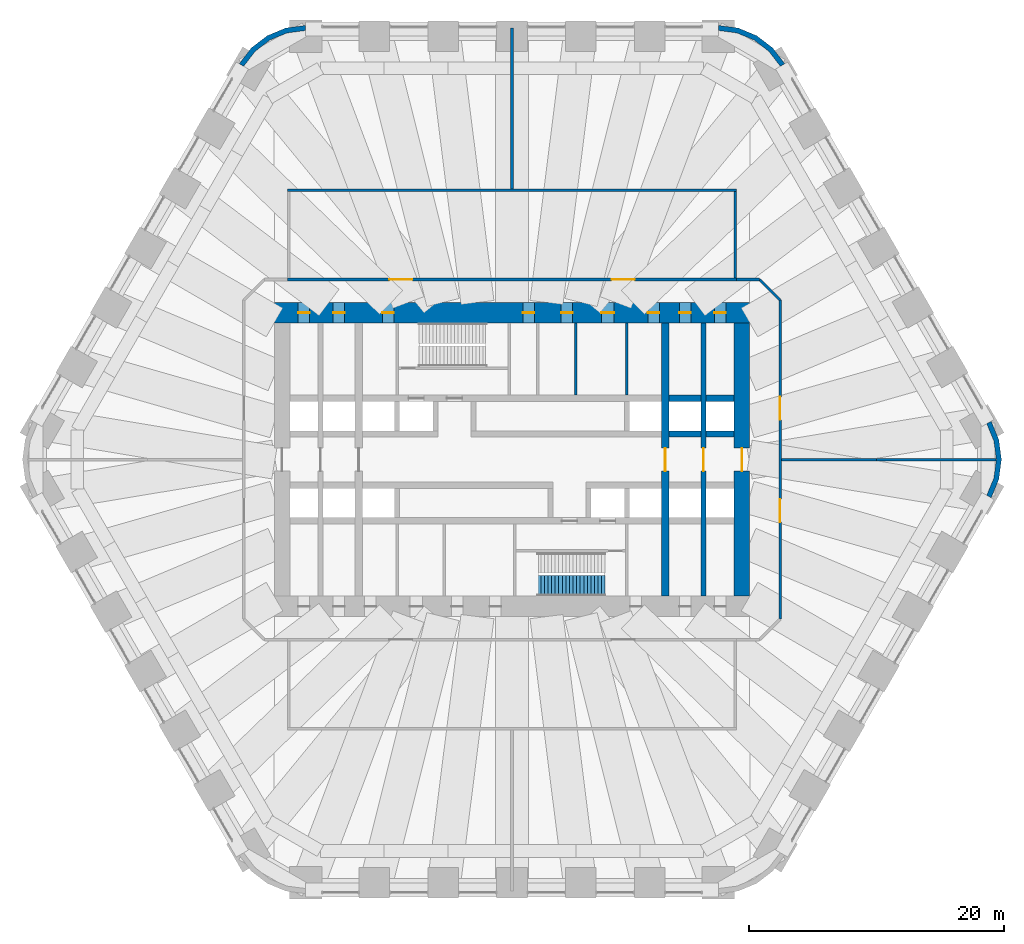
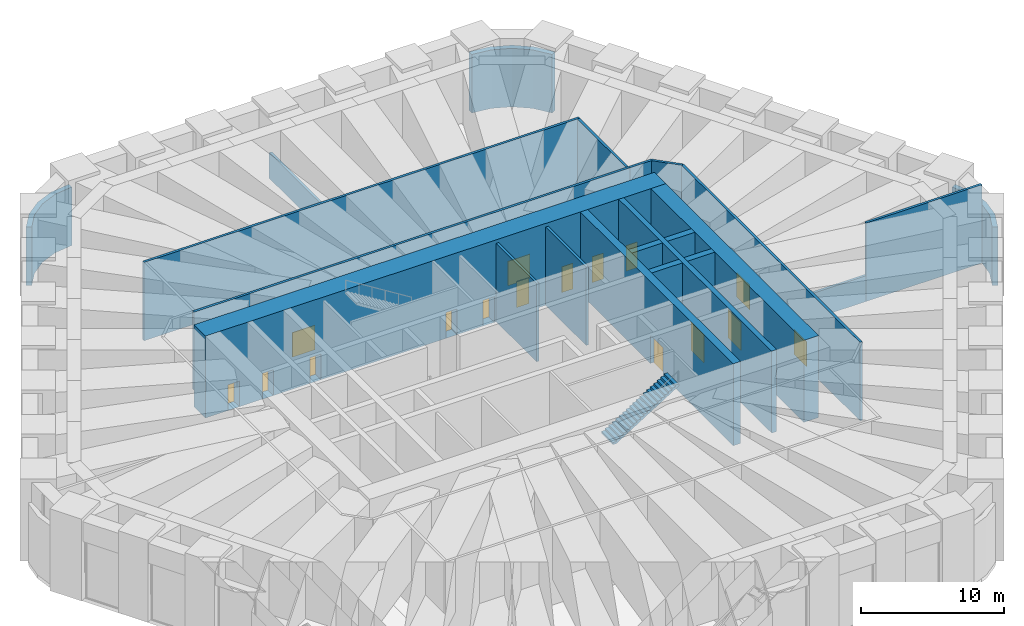
# One storey, part 15 of 17: 22 walls, 16 doors, 1 stair flight, 16 openings, 1 element without a shape of its own.
"""IFC4 building model written with IfcOpenShell, lengths in metres."""

from ifc_helpers import new_model, si_unit, direction, frame, frame_2d, origin, place, context, subcontext, project, spatial, polyline, rectangle, outline, extrude, material, layer, layer_set, type_object, element, fill, aggregate, save


model = new_model("IFC4")

# Units and contexts
model_context = context("Model", 3, precision=1e-05, world=origin(), true_north=direction((0.0, 1.0)))
body_context = subcontext(model_context, "Body", "Model", "MODEL_VIEW")
ifc_project = project(units=[si_unit("LENGTHUNIT", "METRE"), si_unit("AREAUNIT", "SQUARE_METRE"), si_unit("VOLUMEUNIT", "CUBIC_METRE"), si_unit("PLANEANGLEUNIT", "RADIAN"), si_unit("MASSUNIT", "GRAM", prefix="KILO")], contexts=[model_context])

# Site, building, storey
site_placement = place(None, origin())
site = spatial("IfcSite", under=ifc_project, at=site_placement, CompositionType="ELEMENT")
building_placement = place(site_placement, origin())
building = spatial("IfcBuilding", under=site, at=building_placement, Name="Tarfa Lantern Tower", CompositionType="ELEMENT")
storey_placement = place(building_placement, frame((0.0, 0.0, 107.5)))
storey = spatial("IfcBuildingStorey", under=building, at=storey_placement, Name="L24", CompositionType="ELEMENT", Elevation=107.5)

# Walls
ifc_material_1 = material(Name="Limestone cladding on blockwork", Category="masonry")
ifc_layer_1 = layer(ifc_material_1, 0.39990234375)
ifc_layer_set_1 = layer_set([ifc_layer_1], Name="EW2 CURVED STONE CORNER 400")
wall_type_1 = type_object("IfcWallType", Name="EW2 CURVED STONE CORNER 400", PredefinedType="SOLIDWALL", material=ifc_layer_set_1)
wall_1_placement = place(storey_placement, origin())
element("IfcWall", 1, at=wall_1_placement, inside=storey, type_object=wall_type_1, Name="Stone corner NE-N", PredefinedType="SOLIDWALL", context=body_context, shape_type="SweptSolid", body=[
    extrude(outline(polyline([(21.362060546875, 31.0), (20.408447265625, 32.24267578125), (19.165771484375, 33.196044921875), (17.71875, 33.795654296875), (16.165771484375, 34.0), (16.165771484375, 33.60009765625), (17.615234375, 33.4091796875), (18.9658203125, 32.849853515625), (20.12548828125, 31.959716796875), (21.015625, 30.800048828125), (21.362060546875, 31.0)])), origin(), (0.0, 0.0, 1.0), 5.0),
])
wall_2_placement = place(storey_placement, origin())
element("IfcWall", 2, at=wall_2_placement, inside=storey, type_object=wall_type_1, Name="Stone corner N-NW", PredefinedType="SOLIDWALL", context=body_context, shape_type="SweptSolid", body=[
    extrude(outline(polyline([(-16.165771484375, 34.0), (-17.71875, 33.795654296875), (-19.165771484375, 33.196044921875), (-20.408447265625, 32.24267578125), (-21.362060546875, 31.0), (-21.015625, 30.800048828125), (-20.12548828125, 31.959716796875), (-18.9658203125, 32.849853515625), (-17.615234375, 33.4091796875), (-16.165771484375, 33.60009765625), (-16.165771484375, 34.0)])), origin(), (0.0, 0.0, 1.0), 5.0),
])
wall_3_placement = place(storey_placement, origin())
element("IfcWall", 3, at=wall_3_placement, inside=storey, type_object=wall_type_1, Name="Stone corner SE-NE", PredefinedType="SOLIDWALL", context=body_context, shape_type="SweptSolid", body=[
    extrude(outline(polyline([(37.52783203125, -3.0), (38.127197265625, -1.552978515625), (38.33154296875, 0.0), (38.127197265625, 1.552978515625), (37.52783203125, 3.0), (37.181396484375, 2.800048828125), (37.74072265625, 1.449462890625), (37.931640625, 0.0), (37.74072265625, -1.449462890625), (37.181396484375, -2.800048828125), (37.52783203125, -3.0)])), origin(), (0.0, 0.0, 1.0), 5.0),
])
ifc_material_2 = material(Name="Concrete blockwork", Category="masonry")
ifc_layer_2 = layer(ifc_material_2, 0.199951171875)
ifc_layer_set_2 = layer_set([ifc_layer_2], Name="IW1 BLOCKWORK PARTITION 200 EI 120")
wall_type_2 = type_object("IfcWallType", Name="IW1 BLOCKWORK PARTITION 200 EI 120", PredefinedType="PARTITIONING", material=ifc_layer_set_2)
for number, where, z_axis, x_axis, name in (
    (4, (9.0, 5.050048828125, 0.0), (0.0, 0.0, 1.0), (0.0, 1.0, 0.0), "Core partition"),
    (5, (5.0, 5.050048828125, 0.0), (0.0, 0.0, 1.0), (0.0, 1.0, 0.0), "Core partition"),
):
    element("IfcWall", number, at=place(storey_placement, frame(where, z_axis=z_axis, x_axis=x_axis)), inside=storey, type_object=wall_type_2, Name=name, PredefinedType="PARTITIONING", context=body_context, shape_type="SweptSolid", body=[
        extrude(rectangle(XDim=5.64990234375, YDim=0.199951171875, at=frame_2d((2.824951171875, 0.0))), origin(), (0.0, 0.0, 1.0), 6.699951171875),
    ])
wall_4_placement = place(storey_placement, frame((17.60009765625, 14.10009765625, 0.0), z_axis=(0.0, 0.0, 1.0), x_axis=(1.0, 0.0, 0.0)))
element("IfcWall", 6, at=wall_4_placement, inside=storey, type_object=wall_type_2, Name="Fire-rated partition", PredefinedType="PARTITIONING", context=body_context, shape_type="SweptSolid", body=[
    extrude(rectangle(XDim=1.7998046875, YDim=0.199951171875, at=frame_2d((0.89990234375, 0.0))), origin(), (0.0, 0.0, 1.0), 6.699951171875),
])
wall_5_placement = place(storey_placement, frame((19.39990234375, 14.10009765625, 0.0), z_axis=(0.0, 0.0, 1.0), x_axis=(0.707106781187, -0.707106781187, 0.0)))
element("IfcWall", 7, at=wall_5_placement, inside=storey, type_object=wall_type_2, Name="Fire-rated partition", PredefinedType="PARTITIONING", context=body_context, shape_type="SweptSolid", body=[
    extrude(rectangle(XDim=2.262939453125, YDim=0.199951171875, at=frame_2d((1.13134765625, 0.0))), origin(), (0.0, 0.0, 1.0), 6.699951171875),
])

# Wall, openings, doors
wall_6_placement = place(storey_placement, frame((21.0, 12.5, 0.0), z_axis=(0.0, 0.0, 1.0), x_axis=(0.0, -1.0, 0.0)))
wall_6 = element("IfcWall", 8, at=wall_6_placement, inside=storey, type_object=wall_type_2, Name="Fire-rated partition", PredefinedType="PARTITIONING", context=body_context, shape_type="SweptSolid", body=[
    extrude(rectangle(XDim=25.0, YDim=0.199951171875, at=frame_2d((12.5, 0.0))), origin(), (0.0, 0.0, 1.0), 6.699951171875),
])
opening_1_placement = place(wall_6_placement, frame((7.60009765625, 0.0, 0.0)))
opening_1 = element("IfcOpeningElement", 9, at=opening_1_placement, cuts=wall_6, Name="Opening D29", PredefinedType="OPENING", context=body_context, shape_type="SweptSolid", body=[
    extrude(rectangle(XDim=1.800048828125, YDim=2.10009765625, at=frame_2d((0.89990234375, 1.050048828125))), frame((0.0, 0.10986328125, 0.0), z_axis=(0.0, -1.0, 0.0), x_axis=(1.0, 0.0, 0.0)), (0.0, 0.0, 1.0), 0.219970703125),
])
opening_2_placement = place(wall_6_placement, frame((15.60009765625, 0.0, 0.0)))
opening_2 = element("IfcOpeningElement", 10, at=opening_2_placement, cuts=wall_6, Name="Opening D31", PredefinedType="OPENING", context=body_context, shape_type="SweptSolid", body=[
    extrude(rectangle(XDim=1.800048828125, YDim=2.10009765625, at=frame_2d((0.89990234375, 1.050048828125))), frame((0.0, 0.10986328125, 0.0), z_axis=(0.0, -1.0, 0.0), x_axis=(1.0, 0.0, 0.0)), (0.0, 0.0, 1.0), 0.219970703125),
])
ifc_material_3 = material(Name="Steel fire door", Category="steel")
door_type_1 = type_object("IfcDoorType", Name="DF10 FIRE DOOR 1800x2100", OperationType="DOUBLE_DOOR_SINGLE_SWING", PredefinedType="DOOR", material=ifc_material_3)
door_1_placement = place(opening_1_placement, origin())
door_1 = element("IfcDoor", 11, at=door_1_placement, inside=storey, type_object=door_type_1, Name="Air handling plant room door", OperationType="DOUBLE_DOOR_SINGLE_SWING", OverallHeight=2.10009765625, OverallWidth=1.800048828125, PredefinedType="DOOR", context=body_context, shape_type="SweptSolid", body=[
    extrude(rectangle(XDim=1.800048828125, YDim=2.10009765625, at=frame_2d((0.89990234375, 1.050048828125))), frame((0.0, 0.02490234375, 0.0), z_axis=(0.0, -1.0, 0.0), x_axis=(1.0, 0.0, 0.0)), (0.0, 0.0, 1.0), 0.050048828125),
])
fill(opening_1, door_1)
door_2_placement = place(opening_2_placement, origin())
door_2 = element("IfcDoor", 12, at=door_2_placement, inside=storey, type_object=door_type_1, Name="Fire pump plant room door", OperationType="DOUBLE_DOOR_SINGLE_SWING", OverallHeight=2.10009765625, OverallWidth=1.800048828125, PredefinedType="DOOR", context=body_context, shape_type="SweptSolid", body=[
    extrude(rectangle(XDim=1.800048828125, YDim=2.10009765625, at=frame_2d((0.89990234375, 1.050048828125))), frame((0.0, 0.02490234375, 0.0), z_axis=(0.0, -1.0, 0.0), x_axis=(1.0, 0.0, 0.0)), (0.0, 0.0, 1.0), 0.050048828125),
])
fill(opening_2, door_2)

# Walls
wall_7_placement = place(storey_placement, frame((0.0, 21.199951171875, 0.0), z_axis=(0.0, 0.0, 1.0), x_axis=(0.0, 1.0, 0.0)))
element("IfcWall", 13, at=wall_7_placement, inside=storey, type_object=wall_type_2, Name="Fire-rated partition", PredefinedType="PARTITIONING", context=body_context, shape_type="SweptSolid", body=[
    extrude(rectangle(XDim=12.610107421875, YDim=0.199951171875, at=frame_2d((6.30517578125, 0.0))), origin(), (0.0, 0.0, 1.0), 2.199951171875),
])
wall_8_placement = place(storey_placement, frame((21.10009765625, 0.0, 0.0), z_axis=(0.0, 0.0, 1.0), x_axis=(1.0, 0.0, 0.0)))
element("IfcWall", 14, at=wall_8_placement, inside=storey, type_object=wall_type_2, Name="Fire-rated partition", PredefinedType="PARTITIONING", context=body_context, shape_type="SweptSolid", body=[
    extrude(rectangle(XDim=7.4609375, YDim=0.199951171875, at=frame_2d((3.73046875, 0.0))), origin(), (0.0, 0.0, 1.0), 2.199951171875),
])
wall_9_placement = place(storey_placement, frame((28.56103515625, 0.0, 0.0), z_axis=(0.0, 0.0, 1.0), x_axis=(1.0, 0.0, 0.0)))
element("IfcWall", 15, at=wall_9_placement, inside=storey, type_object=wall_type_2, Name="Fire-rated partition", PredefinedType="PARTITIONING", context=body_context, shape_type="SweptSolid", body=[
    extrude(rectangle(XDim=9.357421875, YDim=0.199951171875, at=frame_2d((4.6787109375, 0.0))), origin(), (0.0, 0.0, 1.0), 6.699951171875),
])

# Wall, openings, doors
ifc_material_4 = material(Name="Gypsum board on steel studs", Category="steel")
ifc_layer_3 = layer(ifc_material_4, 0.2099609375)
ifc_layer_set_3 = layer_set([ifc_layer_3], Name="IW2 ACOUSTIC PARTITION 200")
wall_type_3 = type_object("IfcWallType", Name="IW2 ACOUSTIC PARTITION 200", PredefinedType="PARTITIONING", material=ifc_layer_set_3)
wall_10_placement = place(storey_placement, frame((-17.60009765625, 14.10009765625, 0.0), z_axis=(0.0, 0.0, 1.0), x_axis=(1.0, 0.0, 0.0)))
wall_10 = element("IfcWall", 16, at=wall_10_placement, inside=storey, type_object=wall_type_3, Name="Partition", PredefinedType="PARTITIONING", context=body_context, shape_type="SweptSolid", body=[
    extrude(rectangle(XDim=35.2001953125, YDim=0.199951171875, at=frame_2d((17.60009765625, 0.0))), origin(), (0.0, 0.0, 1.0), 6.699951171875),
])
opening_3_placement = place(wall_10_placement, frame((8.0, 0.0, 0.0)))
opening_3 = element("IfcOpeningElement", 17, at=opening_3_placement, cuts=wall_10, Name="Opening D33", PredefinedType="OPENING", context=body_context, shape_type="SweptSolid", body=[
    extrude(rectangle(XDim=1.800048828125, YDim=2.10009765625, at=frame_2d((0.89990234375, 1.050048828125))), frame((0.0, 0.10986328125, 0.0), z_axis=(0.0, -1.0, 0.0), x_axis=(1.0, 0.0, 0.0)), (0.0, 0.0, 1.0), 0.219970703125),
])
opening_4_placement = place(wall_10_placement, frame((25.39990234375, 0.0, 0.0)))
opening_4 = element("IfcOpeningElement", 18, at=opening_4_placement, cuts=wall_10, Name="Opening D34", PredefinedType="OPENING", context=body_context, shape_type="SweptSolid", body=[
    extrude(rectangle(XDim=1.800048828125, YDim=2.10009765625, at=frame_2d((0.89990234375, 1.050048828125))), frame((0.0, 0.10986328125, 0.0), z_axis=(0.0, -1.0, 0.0), x_axis=(1.0, 0.0, 0.0)), (0.0, 0.0, 1.0), 0.219970703125),
])
ifc_material_5 = material(Name="Timber door", Category="wood")
door_type_2 = type_object("IfcDoorType", Name="DR4 ROOM DOOR 1800x2100", OperationType="DOUBLE_DOOR_SINGLE_SWING", PredefinedType="DOOR", material=ifc_material_5)
door_3_placement = place(opening_3_placement, origin())
door_3 = element("IfcDoor", 19, at=door_3_placement, inside=storey, type_object=door_type_2, Name="Refuge area door", OperationType="DOUBLE_DOOR_SINGLE_SWING", OverallHeight=2.10009765625, OverallWidth=1.800048828125, PredefinedType="DOOR", context=body_context, shape_type="SweptSolid", body=[
    extrude(rectangle(XDim=1.800048828125, YDim=2.10009765625, at=frame_2d((0.89990234375, 1.050048828125))), frame((0.0, 0.02490234375, 0.0), z_axis=(0.0, -1.0, 0.0), x_axis=(1.0, 0.0, 0.0)), (0.0, 0.0, 1.0), 0.050048828125),
])
fill(opening_3, door_3)
door_4_placement = place(opening_4_placement, origin())
door_4 = element("IfcDoor", 20, at=door_4_placement, inside=storey, type_object=door_type_2, Name="Refuge area door", OperationType="DOUBLE_DOOR_SINGLE_SWING", OverallHeight=2.10009765625, OverallWidth=1.800048828125, PredefinedType="DOOR", context=body_context, shape_type="SweptSolid", body=[
    extrude(rectangle(XDim=1.800048828125, YDim=2.10009765625, at=frame_2d((0.89990234375, 1.050048828125))), frame((0.0, 0.02490234375, 0.0), z_axis=(0.0, -1.0, 0.0), x_axis=(1.0, 0.0, 0.0)), (0.0, 0.0, 1.0), 0.050048828125),
])
fill(opening_4, door_4)

# Walls
wall_11_placement = place(storey_placement, frame((17.5, 14.199951171875, 0.0), z_axis=(0.0, 0.0, 1.0), x_axis=(0.0, 1.0, 0.0)))
element("IfcWall", 21, at=wall_11_placement, inside=storey, type_object=wall_type_3, Name="Partition", PredefinedType="PARTITIONING", context=body_context, shape_type="SweptSolid", body=[
    extrude(rectangle(XDim=6.800048828125, YDim=0.199951171875, at=frame_2d((3.39990234375, 0.0))), origin(), (0.0, 0.0, 1.0), 6.699951171875),
])
wall_12_placement = place(storey_placement, frame((-17.60009765625, 21.10009765625, 0.0), z_axis=(0.0, 0.0, 1.0), x_axis=(1.0, 0.0, 0.0)))
element("IfcWall", 22, at=wall_12_placement, inside=storey, type_object=wall_type_3, Name="Partition", PredefinedType="PARTITIONING", context=body_context, shape_type="SweptSolid", body=[
    extrude(rectangle(XDim=35.2001953125, YDim=0.199951171875, at=frame_2d((17.60009765625, 0.0))), origin(), (0.0, 0.0, 1.0), 6.699951171875),
])

# Wall, opening, door
ifc_material_6 = material(Name="Concrete C80/95", Category="concrete")
ifc_layer_4 = layer(ifc_material_6, 1.199951171875)
ifc_layer_set_4 = layer_set([ifc_layer_4], Name="SW1 CORE WALL 1200")
wall_type_4 = type_object("IfcWallType", Name="SW1 CORE WALL 1200", PredefinedType="SHEAR", material=ifc_layer_set_4)
wall_13_placement = place(storey_placement, frame((18.0, -10.699951171875, 0.0), z_axis=(0.0, 0.0, 1.0), x_axis=(0.0, 1.0, 0.0)))
wall_13 = element("IfcWall", 23, at=wall_13_placement, inside=storey, type_object=wall_type_4, Name="Core wall E", PredefinedType="SHEAR", context=body_context, shape_type="SweptSolid", body=[
    extrude(rectangle(XDim=21.39990234375, YDim=1.199951171875, at=frame_2d((10.699951171875, 0.0))), origin(), (0.0, 0.0, 1.0), 7.0),
])
opening_5_placement = place(wall_13_placement, frame((9.800048828125, 0.0, 0.0)))
opening_5 = element("IfcOpeningElement", 24, at=opening_5_placement, cuts=wall_13, Name="Opening D15", PredefinedType="OPENING", context=body_context, shape_type="SweptSolid", body=[
    extrude(rectangle(XDim=1.800048828125, YDim=2.39990234375, at=frame_2d((0.89990234375, 1.199951171875))), frame((0.0, 0.60986328125, 0.0), z_axis=(0.0, -1.0, 0.0), x_axis=(1.0, 0.0, 0.0)), (0.0, 0.0, 1.0), 1.219970703125),
])
door_type_3 = type_object("IfcDoorType", Name="DL1 LOBBY DOOR 1800x2400", OperationType="DOUBLE_DOOR_SINGLE_SWING", PredefinedType="DOOR", material=ifc_material_3)
door_5_placement = place(opening_5_placement, frame((1.800048828125, 0.0, 0.0), z_axis=(0.0, 0.0, 1.0), x_axis=(-1.0, 0.0, 0.0)))
door_5 = element("IfcDoor", 25, at=door_5_placement, inside=storey, type_object=door_type_3, Name="Lift lobby door", OperationType="DOUBLE_DOOR_SINGLE_SWING", OverallHeight=2.39990234375, OverallWidth=1.800048828125, PredefinedType="DOOR", context=body_context, shape_type="SweptSolid", body=[
    extrude(rectangle(XDim=1.800048828125, YDim=2.39990234375, at=frame_2d((0.89990234375, 1.199951171875))), frame((0.0, 0.02490234375, 0.0), z_axis=(0.0, -1.0, 0.0), x_axis=(1.0, 0.0, 0.0)), (0.0, 0.0, 1.0), 0.050048828125),
])
fill(opening_5, door_5)

# Walls
ifc_layer_5 = layer(ifc_material_6, 0.5)
ifc_layer_set_5 = layer_set([ifc_layer_5], Name="SW5 CORE WALL 500")
wall_type_5 = type_object("IfcWallType", Name="SW5 CORE WALL 500", PredefinedType="SHEAR", material=ifc_layer_set_5)
wall_14_placement = place(storey_placement, frame((12.300048828125, 2.0, 0.0), z_axis=(0.0, 0.0, 1.0), x_axis=(1.0, 0.0, 0.0)))
element("IfcWall", 26, at=wall_14_placement, inside=storey, type_object=wall_type_5, Name="Core wall lobby east N", PredefinedType="SHEAR", context=body_context, shape_type="SweptSolid", body=[
    extrude(rectangle(XDim=2.5, YDim=0.5, at=frame_2d((1.25, 0.0))), origin(), (0.0, 0.0, 1.0), 7.0),
])
wall_15_placement = place(storey_placement, frame((15.199951171875, 2.0, 0.0), z_axis=(0.0, 0.0, 1.0), x_axis=(1.0, 0.0, 0.0)))
element("IfcWall", 27, at=wall_15_placement, inside=storey, type_object=wall_type_5, Name="Core wall lobby east N", PredefinedType="SHEAR", context=body_context, shape_type="SweptSolid", body=[
    extrude(rectangle(XDim=2.199951171875, YDim=0.5, at=frame_2d((1.10009765625, 0.0))), origin(), (0.0, 0.0, 1.0), 7.0),
])
wall_16_placement = place(storey_placement, frame((12.300048828125, 4.800048828125, 0.0), z_axis=(0.0, 0.0, 1.0), x_axis=(1.0, 0.0, 0.0)))
element("IfcWall", 28, at=wall_16_placement, inside=storey, type_object=wall_type_5, Name="Core wall rear N", PredefinedType="SHEAR", context=body_context, shape_type="SweptSolid", body=[
    extrude(rectangle(XDim=2.5, YDim=0.5, at=frame_2d((1.25, 0.0))), origin(), (0.0, 0.0, 1.0), 7.0),
])
wall_17_placement = place(storey_placement, frame((15.199951171875, 4.800048828125, 0.0), z_axis=(0.0, 0.0, 1.0), x_axis=(1.0, 0.0, 0.0)))
element("IfcWall", 29, at=wall_17_placement, inside=storey, type_object=wall_type_5, Name="Core wall rear N", PredefinedType="SHEAR", context=body_context, shape_type="SweptSolid", body=[
    extrude(rectangle(XDim=2.199951171875, YDim=0.5, at=frame_2d((1.10009765625, 0.0))), origin(), (0.0, 0.0, 1.0), 7.0),
])

# Wall, opening, door
ifc_layer_6 = layer(ifc_material_6, 0.39990234375)
ifc_layer_set_6 = layer_set([ifc_layer_6], Name="SW6 CORE WALL 400")
wall_type_6 = type_object("IfcWallType", Name="SW6 CORE WALL 400", PredefinedType="SHEAR", material=ifc_layer_set_6)
wall_18_placement = place(storey_placement, frame((15.0, -10.699951171875, 0.0), z_axis=(0.0, 0.0, 1.0), x_axis=(0.0, 1.0, 0.0)))
wall_18 = element("IfcWall", 30, at=wall_18_placement, inside=storey, type_object=wall_type_6, Name="Core wall cross 15 m east", PredefinedType="SHEAR", context=body_context, shape_type="SweptSolid", body=[
    extrude(rectangle(XDim=21.39990234375, YDim=0.39990234375, at=frame_2d((10.699951171875, 0.0))), origin(), (0.0, 0.0, 1.0), 7.0),
])
opening_6_placement = place(wall_18_placement, frame((9.800048828125, 0.0, 0.0)))
opening_6 = element("IfcOpeningElement", 31, at=opening_6_placement, cuts=wall_18, Name="Opening D26", PredefinedType="OPENING", context=body_context, shape_type="SweptSolid", body=[
    extrude(rectangle(XDim=1.800048828125, YDim=2.39990234375, at=frame_2d((0.89990234375, 1.199951171875))), frame((0.0, 0.2099609375, 0.0), z_axis=(0.0, -1.0, 0.0), x_axis=(1.0, 0.0, 0.0)), (0.0, 0.0, 1.0), 0.419921875),
])
door_6_placement = place(opening_6_placement, origin())
door_6 = element("IfcDoor", 32, at=door_6_placement, inside=storey, type_object=door_type_3, Name="Lift lobby door", OperationType="DOUBLE_DOOR_SINGLE_SWING", OverallHeight=2.39990234375, OverallWidth=1.800048828125, PredefinedType="DOOR", context=body_context, shape_type="SweptSolid", body=[
    extrude(rectangle(XDim=1.800048828125, YDim=2.39990234375, at=frame_2d((0.89990234375, 1.199951171875))), frame((0.0, 0.02490234375, 0.0), z_axis=(0.0, -1.0, 0.0), x_axis=(1.0, 0.0, 0.0)), (0.0, 0.0, 1.0), 0.050048828125),
])
fill(opening_6, door_6)

# Wall, openings, doors
ifc_layer_7 = layer(ifc_material_6, 1.60009765625)
ifc_layer_set_7 = layer_set([ifc_layer_7], Name="SW7 CORE WALL 1600")
wall_type_7 = type_object("IfcWallType", Name="SW7 CORE WALL 1600", PredefinedType="SHEAR", material=ifc_layer_set_7)
wall_19_placement = place(storey_placement, frame((-18.60009765625, 11.5, 0.0), z_axis=(0.0, 0.0, 1.0), x_axis=(1.0, 0.0, 0.0)))
wall_19 = element("IfcWall", 33, at=wall_19_placement, inside=storey, type_object=wall_type_7, Name="Core wall N", PredefinedType="SHEAR", context=body_context, shape_type="SweptSolid", body=[
    extrude(rectangle(XDim=37.2001953125, YDim=1.60009765625, at=frame_2d((18.60009765625, 0.0))), origin(), (0.0, 0.0, 1.0), 7.0),
])
opening_7_placement = place(wall_19_placement, frame((19.449951171875, 0.0, 0.0)))
opening_7 = element("IfcOpeningElement", 34, at=opening_7_placement, cuts=wall_19, Name="Opening D17", PredefinedType="OPENING", context=body_context, shape_type="SweptSolid", body=[
    extrude(rectangle(XDim=0.89990234375, YDim=2.199951171875, at=frame_2d((0.449951171875, 1.10009765625))), frame((0.0, 0.81005859375, 0.0), z_axis=(0.0, -1.0, 0.0), x_axis=(1.0, 0.0, 0.0)), (0.0, 0.0, 1.0), 1.6201171875),
])
opening_8_placement = place(wall_19_placement, frame((22.449951171875, 0.0, 0.0)))
opening_8 = element("IfcOpeningElement", 35, at=opening_8_placement, cuts=wall_19, Name="Opening D19", PredefinedType="OPENING", context=body_context, shape_type="SweptSolid", body=[
    extrude(rectangle(XDim=0.89990234375, YDim=2.199951171875, at=frame_2d((0.449951171875, 1.10009765625))), frame((0.0, 0.81005859375, 0.0), z_axis=(0.0, -1.0, 0.0), x_axis=(1.0, 0.0, 0.0)), (0.0, 0.0, 1.0), 1.6201171875),
])
opening_9_placement = place(wall_19_placement, frame((25.60009765625, 0.0, 0.0)))
opening_9 = element("IfcOpeningElement", 36, at=opening_9_placement, cuts=wall_19, Name="Opening D21", PredefinedType="OPENING", context=body_context, shape_type="SweptSolid", body=[
    extrude(rectangle(XDim=1.0, YDim=2.199951171875, at=frame_2d((0.5, 1.10009765625))), frame((0.0, 0.81005859375, 0.0), z_axis=(0.0, -1.0, 0.0), x_axis=(1.0, 0.0, 0.0)), (0.0, 0.0, 1.0), 1.6201171875),
])
opening_10_placement = place(wall_19_placement, frame((1.85009765625, 0.0, 0.0)))
opening_10 = element("IfcOpeningElement", 37, at=opening_10_placement, cuts=wall_19, Name="Opening D11", PredefinedType="OPENING", context=body_context, shape_type="SweptSolid", body=[
    extrude(rectangle(XDim=0.89990234375, YDim=2.199951171875, at=frame_2d((0.449951171875, 1.10009765625))), frame((0.0, 0.81005859375, 0.0), z_axis=(0.0, -1.0, 0.0), x_axis=(1.0, 0.0, 0.0)), (0.0, 0.0, 1.0), 1.6201171875),
])
opening_11_placement = place(wall_19_placement, frame((4.60009765625, 0.0, 0.0)))
opening_11 = element("IfcOpeningElement", 38, at=opening_11_placement, cuts=wall_19, Name="Opening D07", PredefinedType="OPENING", context=body_context, shape_type="SweptSolid", body=[
    extrude(rectangle(XDim=0.89990234375, YDim=2.199951171875, at=frame_2d((0.449951171875, 1.10009765625))), frame((0.0, 0.81005859375, 0.0), z_axis=(0.0, -1.0, 0.0), x_axis=(1.0, 0.0, 0.0)), (0.0, 0.0, 1.0), 1.6201171875),
])
opening_12_placement = place(wall_19_placement, frame((8.449951171875, 0.0, 0.0)))
opening_12 = element("IfcOpeningElement", 39, at=opening_12_placement, cuts=wall_19, Name="Opening D09", PredefinedType="OPENING", context=body_context, shape_type="SweptSolid", body=[
    extrude(rectangle(XDim=0.89990234375, YDim=2.199951171875, at=frame_2d((0.449951171875, 1.10009765625))), frame((0.0, 0.81005859375, 0.0), z_axis=(0.0, -1.0, 0.0), x_axis=(1.0, 0.0, 0.0)), (0.0, 0.0, 1.0), 1.6201171875),
])
opening_13_placement = place(wall_19_placement, frame((29.25, 0.0, 0.0)))
opening_13 = element("IfcOpeningElement", 40, at=opening_13_placement, cuts=wall_19, Name="Opening D05", PredefinedType="OPENING", context=body_context, shape_type="SweptSolid", body=[
    extrude(rectangle(XDim=0.89990234375, YDim=2.199951171875, at=frame_2d((0.449951171875, 1.10009765625))), frame((0.0, 0.81005859375, 0.0), z_axis=(0.0, -1.0, 0.0), x_axis=(1.0, 0.0, 0.0)), (0.0, 0.0, 1.0), 1.6201171875),
])
opening_14_placement = place(wall_19_placement, frame((31.699951171875, 0.0, 0.0)))
opening_14 = element("IfcOpeningElement", 41, at=opening_14_placement, cuts=wall_19, Name="Opening D01", PredefinedType="OPENING", context=body_context, shape_type="SweptSolid", body=[
    extrude(rectangle(XDim=0.89990234375, YDim=2.199951171875, at=frame_2d((0.449951171875, 1.10009765625))), frame((0.0, 0.81005859375, 0.0), z_axis=(0.0, -1.0, 0.0), x_axis=(1.0, 0.0, 0.0)), (0.0, 0.0, 1.0), 1.6201171875),
])
opening_15_placement = place(wall_19_placement, frame((34.449951171875, 0.0, 0.0)))
opening_15 = element("IfcOpeningElement", 42, at=opening_15_placement, cuts=wall_19, Name="Opening D03", PredefinedType="OPENING", context=body_context, shape_type="SweptSolid", body=[
    extrude(rectangle(XDim=0.89990234375, YDim=2.199951171875, at=frame_2d((0.449951171875, 1.10009765625))), frame((0.0, 0.81005859375, 0.0), z_axis=(0.0, -1.0, 0.0), x_axis=(1.0, 0.0, 0.0)), (0.0, 0.0, 1.0), 1.6201171875),
])
door_type_4 = type_object("IfcDoorType", Name="DF3 CORE ROOM DOOR 900x2200", OperationType="SINGLE_SWING_LEFT", PredefinedType="DOOR", material=ifc_material_3)
door_7_placement = place(opening_7_placement, frame((0.89990234375, 0.0, 0.0), z_axis=(0.0, 0.0, 1.0), x_axis=(-1.0, 0.0, 0.0)))
door_7 = element("IfcDoor", 43, at=door_7_placement, inside=storey, type_object=door_type_4, Name="Core door", OperationType="SINGLE_SWING_RIGHT", OverallHeight=2.199951171875, OverallWidth=0.89990234375, PredefinedType="DOOR", context=body_context, shape_type="SweptSolid", body=[
    extrude(rectangle(XDim=0.89990234375, YDim=2.199951171875, at=frame_2d((0.449951171875, 1.10009765625))), frame((0.0, 0.02490234375, 0.0), z_axis=(0.0, -1.0, 0.0), x_axis=(1.0, 0.0, 0.0)), (0.0, 0.0, 1.0), 0.050048828125),
])
fill(opening_7, door_7)
door_8_placement = place(opening_8_placement, frame((0.89990234375, 0.0, 0.0), z_axis=(0.0, 0.0, 1.0), x_axis=(-1.0, 0.0, 0.0)))
door_8 = element("IfcDoor", 44, at=door_8_placement, inside=storey, type_object=door_type_4, Name="Core door", OperationType="SINGLE_SWING_RIGHT", OverallHeight=2.199951171875, OverallWidth=0.89990234375, PredefinedType="DOOR", context=body_context, shape_type="SweptSolid", body=[
    extrude(rectangle(XDim=0.89990234375, YDim=2.199951171875, at=frame_2d((0.449951171875, 1.10009765625))), frame((0.0, 0.02490234375, 0.0), z_axis=(0.0, -1.0, 0.0), x_axis=(1.0, 0.0, 0.0)), (0.0, 0.0, 1.0), 0.050048828125),
])
fill(opening_8, door_8)
door_type_5 = type_object("IfcDoorType", Name="DF4 CORE ROOM DOOR 1000x2200", OperationType="SINGLE_SWING_LEFT", PredefinedType="DOOR", material=ifc_material_3)
door_9_placement = place(opening_9_placement, frame((1.0, 0.0, 0.0), z_axis=(0.0, 0.0, 1.0), x_axis=(-1.0, 0.0, 0.0)))
door_9 = element("IfcDoor", 45, at=door_9_placement, inside=storey, type_object=door_type_5, Name="Core door", OperationType="SINGLE_SWING_RIGHT", OverallHeight=2.199951171875, OverallWidth=1.0, PredefinedType="DOOR", context=body_context, shape_type="SweptSolid", body=[
    extrude(rectangle(XDim=1.0, YDim=2.199951171875, at=frame_2d((0.5, 1.10009765625))), frame((0.0, 0.02490234375, 0.0), z_axis=(0.0, -1.0, 0.0), x_axis=(1.0, 0.0, 0.0)), (0.0, 0.0, 1.0), 0.050048828125),
])
fill(opening_9, door_9)
door_type_6 = type_object("IfcDoorType", Name="DF5 RISER DOOR 900x2200", OperationType="SINGLE_SWING_LEFT", PredefinedType="DOOR", material=ifc_material_3)
door_10_placement = place(opening_10_placement, frame((0.89990234375, 0.0, 0.0), z_axis=(0.0, 0.0, 1.0), x_axis=(-1.0, 0.0, 0.0)))
door_10 = element("IfcDoor", 46, at=door_10_placement, inside=storey, type_object=door_type_6, Name="Riser door", OperationType="SINGLE_SWING_LEFT", OverallHeight=2.199951171875, OverallWidth=0.89990234375, PredefinedType="DOOR", context=body_context, shape_type="SweptSolid", body=[
    extrude(rectangle(XDim=0.89990234375, YDim=2.199951171875, at=frame_2d((0.449951171875, 1.10009765625))), frame((0.0, 0.02490234375, 0.0), z_axis=(0.0, -1.0, 0.0), x_axis=(1.0, 0.0, 0.0)), (0.0, 0.0, 1.0), 0.050048828125),
])
fill(opening_10, door_10)
door_11_placement = place(opening_11_placement, frame((0.89990234375, 0.0, 0.0), z_axis=(0.0, 0.0, 1.0), x_axis=(-1.0, 0.0, 0.0)))
door_11 = element("IfcDoor", 47, at=door_11_placement, inside=storey, type_object=door_type_6, Name="Riser door", OperationType="SINGLE_SWING_LEFT", OverallHeight=2.199951171875, OverallWidth=0.89990234375, PredefinedType="DOOR", context=body_context, shape_type="SweptSolid", body=[
    extrude(rectangle(XDim=0.89990234375, YDim=2.199951171875, at=frame_2d((0.449951171875, 1.10009765625))), frame((0.0, 0.02490234375, 0.0), z_axis=(0.0, -1.0, 0.0), x_axis=(1.0, 0.0, 0.0)), (0.0, 0.0, 1.0), 0.050048828125),
])
fill(opening_11, door_11)
door_12_placement = place(opening_12_placement, frame((0.89990234375, 0.0, 0.0), z_axis=(0.0, 0.0, 1.0), x_axis=(-1.0, 0.0, 0.0)))
door_12 = element("IfcDoor", 48, at=door_12_placement, inside=storey, type_object=door_type_6, Name="Riser door", OperationType="SINGLE_SWING_RIGHT", OverallHeight=2.199951171875, OverallWidth=0.89990234375, PredefinedType="DOOR", context=body_context, shape_type="SweptSolid", body=[
    extrude(rectangle(XDim=0.89990234375, YDim=2.199951171875, at=frame_2d((0.449951171875, 1.10009765625))), frame((0.0, 0.02490234375, 0.0), z_axis=(0.0, -1.0, 0.0), x_axis=(1.0, 0.0, 0.0)), (0.0, 0.0, 1.0), 0.050048828125),
])
fill(opening_12, door_12)
door_13_placement = place(opening_13_placement, frame((0.89990234375, 0.0, 0.0), z_axis=(0.0, 0.0, 1.0), x_axis=(-1.0, 0.0, 0.0)))
door_13 = element("IfcDoor", 49, at=door_13_placement, inside=storey, type_object=door_type_6, Name="Riser door", OperationType="SINGLE_SWING_RIGHT", OverallHeight=2.199951171875, OverallWidth=0.89990234375, PredefinedType="DOOR", context=body_context, shape_type="SweptSolid", body=[
    extrude(rectangle(XDim=0.89990234375, YDim=2.199951171875, at=frame_2d((0.449951171875, 1.10009765625))), frame((0.0, 0.02490234375, 0.0), z_axis=(0.0, -1.0, 0.0), x_axis=(1.0, 0.0, 0.0)), (0.0, 0.0, 1.0), 0.050048828125),
])
fill(opening_13, door_13)
door_14_placement = place(opening_14_placement, frame((0.89990234375, 0.0, 0.0), z_axis=(0.0, 0.0, 1.0), x_axis=(-1.0, 0.0, 0.0)))
door_14 = element("IfcDoor", 50, at=door_14_placement, inside=storey, type_object=door_type_6, Name="Riser door", OperationType="SINGLE_SWING_RIGHT", OverallHeight=2.199951171875, OverallWidth=0.89990234375, PredefinedType="DOOR", context=body_context, shape_type="SweptSolid", body=[
    extrude(rectangle(XDim=0.89990234375, YDim=2.199951171875, at=frame_2d((0.449951171875, 1.10009765625))), frame((0.0, 0.02490234375, 0.0), z_axis=(0.0, -1.0, 0.0), x_axis=(1.0, 0.0, 0.0)), (0.0, 0.0, 1.0), 0.050048828125),
])
fill(opening_14, door_14)
door_15_placement = place(opening_15_placement, frame((0.89990234375, 0.0, 0.0), z_axis=(0.0, 0.0, 1.0), x_axis=(-1.0, 0.0, 0.0)))
door_15 = element("IfcDoor", 51, at=door_15_placement, inside=storey, type_object=door_type_6, Name="Riser door", OperationType="SINGLE_SWING_RIGHT", OverallHeight=2.199951171875, OverallWidth=0.89990234375, PredefinedType="DOOR", context=body_context, shape_type="SweptSolid", body=[
    extrude(rectangle(XDim=0.89990234375, YDim=2.199951171875, at=frame_2d((0.449951171875, 1.10009765625))), frame((0.0, 0.02490234375, 0.0), z_axis=(0.0, -1.0, 0.0), x_axis=(1.0, 0.0, 0.0)), (0.0, 0.0, 1.0), 0.050048828125),
])
fill(opening_15, door_15)

# Wall, opening, door
ifc_layer_8 = layer(ifc_material_6, 0.60009765625)
ifc_layer_set_8 = layer_set([ifc_layer_8], Name="SW9 CORE WALL 600")
wall_type_8 = type_object("IfcWallType", Name="SW9 CORE WALL 600", PredefinedType="SHEAR", material=ifc_layer_set_8)
wall_20_placement = place(storey_placement, frame((12.0, -10.699951171875, 0.0), z_axis=(0.0, 0.0, 1.0), x_axis=(0.0, 1.0, 0.0)))
wall_20 = element("IfcWall", 52, at=wall_20_placement, inside=storey, type_object=wall_type_8, Name="Core wall cross 12 m east", PredefinedType="SHEAR", context=body_context, shape_type="SweptSolid", body=[
    extrude(rectangle(XDim=21.39990234375, YDim=0.60009765625, at=frame_2d((10.699951171875, 0.0))), origin(), (0.0, 0.0, 1.0), 7.0),
])
opening_16_placement = place(wall_20_placement, frame((9.800048828125, 0.0, 0.0)))
opening_16 = element("IfcOpeningElement", 53, at=opening_16_placement, cuts=wall_20, Name="Opening D25", PredefinedType="OPENING", context=body_context, shape_type="SweptSolid", body=[
    extrude(rectangle(XDim=1.800048828125, YDim=2.39990234375, at=frame_2d((0.89990234375, 1.199951171875))), frame((0.0, 0.31005859375, 0.0), z_axis=(0.0, -1.0, 0.0), x_axis=(1.0, 0.0, 0.0)), (0.0, 0.0, 1.0), 0.6201171875),
])
door_16_placement = place(opening_16_placement, origin())
door_16 = element("IfcDoor", 54, at=door_16_placement, inside=storey, type_object=door_type_3, Name="Lift lobby door", OperationType="DOUBLE_DOOR_SINGLE_SWING", OverallHeight=2.39990234375, OverallWidth=1.800048828125, PredefinedType="DOOR", context=body_context, shape_type="SweptSolid", body=[
    extrude(rectangle(XDim=1.800048828125, YDim=2.39990234375, at=frame_2d((0.89990234375, 1.199951171875))), frame((0.0, 0.02490234375, 0.0), z_axis=(0.0, -1.0, 0.0), x_axis=(1.0, 0.0, 0.0)), (0.0, 0.0, 1.0), 0.050048828125),
])
fill(opening_16, door_16)

# Stair, stair flight
ifc_material_7 = material(Name="Concrete C40/50", Category="concrete")
stair_type = type_object("IfcStairType", Name="ST-T3 HALF-TURN STAIR 7000 RISE", PredefinedType="HALF_TURN_STAIR", material=ifc_material_7)
stair_placement = place(storey_placement, origin())
stair = element("IfcStair", 55, at=stair_placement, inside=storey, type_object=stair_type, Name="Stair ST2", PredefinedType="HALF_TURN_STAIR")
stair_flight_type = type_object("IfcStairFlightType", Name="SF1 STAIR FLIGHT", PredefinedType="STRAIGHT", material=ifc_material_7)
stair_flight_placement = place(storey_placement, frame((1.97998046875, -9.89990234375, 3.5), z_axis=(0.0, 0.0, 1.0), x_axis=(1.0, 0.0, 0.0)))
stair_flight = element("IfcStairFlight", 56, at=stair_flight_placement, type_object=stair_flight_type, Name="ST2 flight 2", NumberOfRisers=20, NumberOfTreads=19, PredefinedType="STRAIGHT", RiserHeight=0.175, TreadLength=0.28, context=body_context, shape_type="SweptSolid", body=[
    extrude(outline(polyline([(0.0, 0.0), (0.0, 0.175048828125), (0.280029296875, 0.175048828125), (0.280029296875, 0.35009765625), (0.56005859375, 0.35009765625), (0.56005859375, 0.52490234375), (0.840087890625, 0.52490234375), (0.840087890625, 0.699951171875), (1.1201171875, 0.699951171875), (1.1201171875, 0.875), (1.39990234375, 0.875), (1.39990234375, 1.050048828125), (1.679931640625, 1.050048828125), (1.679931640625, 1.22509765625), (1.9599609375, 1.22509765625), (1.9599609375, 1.39990234375), (2.239990234375, 1.39990234375), (2.239990234375, 1.574951171875), (2.52001953125, 1.574951171875), (2.52001953125, 1.75), (2.800048828125, 1.75), (2.800048828125, 1.925048828125), (3.080078125, 1.925048828125), (3.080078125, 2.10009765625), (3.360107421875, 2.10009765625), (3.360107421875, 2.27490234375), (3.639892578125, 2.27490234375), (3.639892578125, 2.449951171875), (3.919921875, 2.449951171875), (3.919921875, 2.625), (4.199951171875, 2.625), (4.199951171875, 2.800048828125), (4.47998046875, 2.800048828125), (4.47998046875, 2.97509765625), (4.760009765625, 2.97509765625), (4.760009765625, 3.14990234375), (5.0400390625, 3.14990234375), (5.0400390625, 3.324951171875), (5.320068359375, 3.324951171875), (5.320068359375, 3.5), (5.320068359375, 3.148193359375), (0.28271484375, 0.0), (0.0, 0.0)])), frame((0.0, 0.800048828125, 0.0), z_axis=(0.0, -1.0, 0.0), x_axis=(1.0, 0.0, 0.0)), (0.0, 0.0, 1.0), 1.60009765625),
])
aggregate(stair, [stair_flight])

save(model, "model.ifc")
